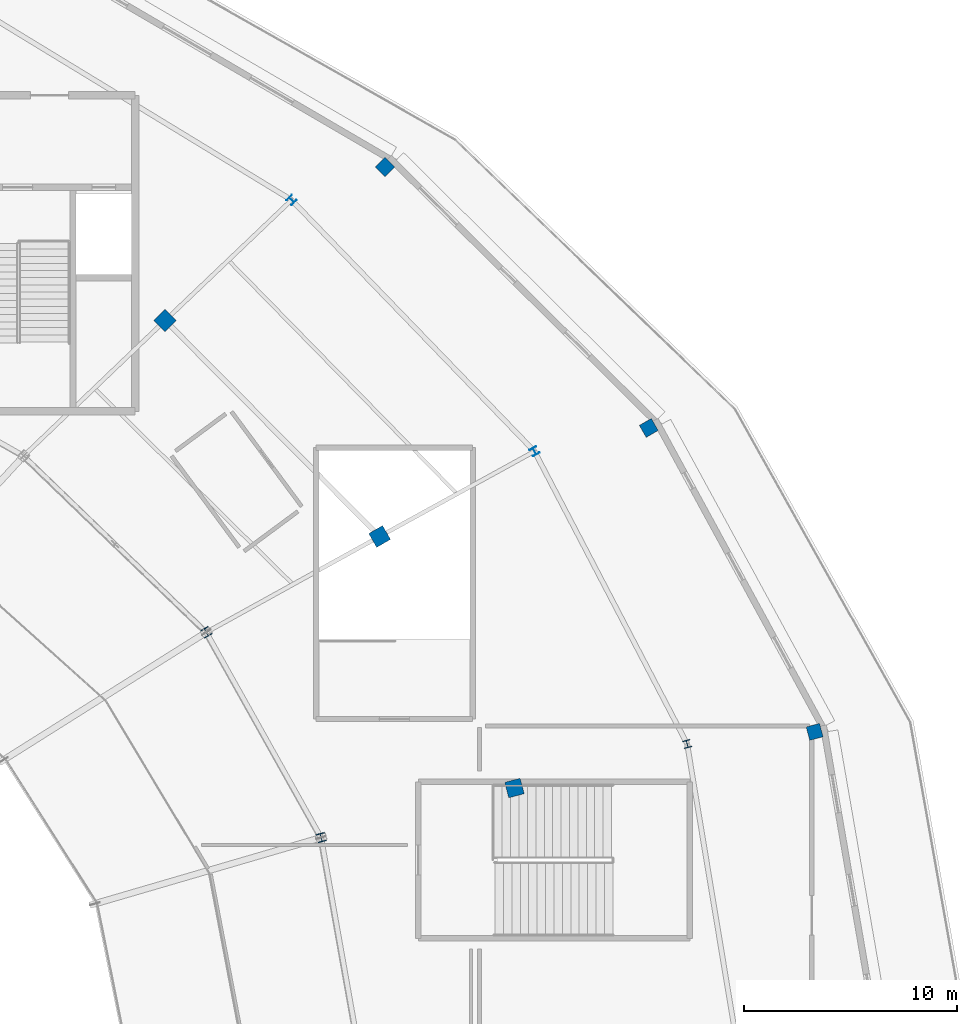
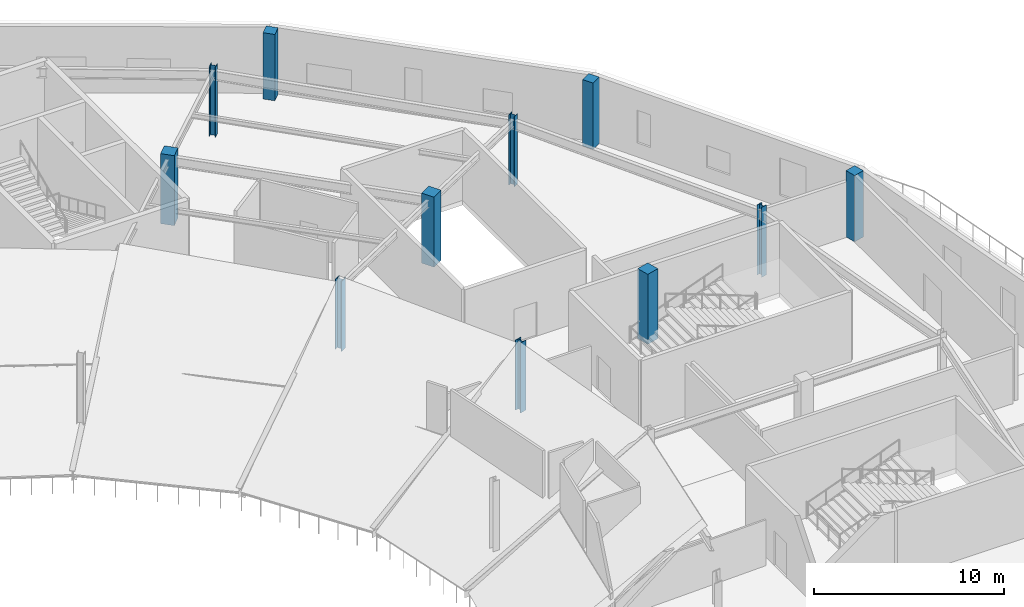
# One storey, part 12 of 63: 11 columns.
"""IFC4 building model written with IfcOpenShell, lengths in metres."""

from ifc_helpers import new_model, si_unit, direction, frame, origin, origin_2d, place, context, subcontext, project, spatial, rectangle, i_section, extrude, material, material_profile, profile_set, type_object, element, save


model = new_model("IFC4")

# Units and contexts
model_context = context("Model", 3, precision=1e-05, world=origin(), true_north=direction((0.0, 1.0)))
body_context = subcontext(model_context, "Body", "Model", "MODEL_VIEW")
ifc_project = project(units=[si_unit("LENGTHUNIT", "METRE"), si_unit("AREAUNIT", "SQUARE_METRE"), si_unit("VOLUMEUNIT", "CUBIC_METRE"), si_unit("PLANEANGLEUNIT", "RADIAN"), si_unit("MASSUNIT", "GRAM", prefix="KILO")], contexts=[model_context])

# Site, building, storey
site_placement = place(None, origin())
site = spatial("IfcSite", under=ifc_project, at=site_placement, CompositionType="ELEMENT")
building_placement = place(site_placement, origin())
building = spatial("IfcBuilding", under=site, at=building_placement, Name="Kalgoora Escarpment Arena", CompositionType="ELEMENT")
storey_placement = place(building_placement, frame((0.0, 0.0, 14.39990234375)))
storey = spatial("IfcBuildingStorey", under=building, at=storey_placement, Name="L03", CompositionType="ELEMENT", Elevation=14.39990234375)

# Columns
ifc_material_1 = material(Name="Structural steel Grade 350 (350 MPa)", Category="steel")
ifc_material_profile_1 = material_profile(ifc_material_1, i_section(OverallWidth=0.35009765625, OverallDepth=0.35009765625, WebThickness=0.013916015625, FlangeThickness=0.02392578125, at=origin_2d()))
ifc_profile_set_1 = profile_set([ifc_material_profile_1], Name="Structural steel Grade 350 (350 MPa)")
column_type_1 = type_object("IfcColumnType", Name="COL-COL-350WC197", PredefinedType="COLUMN", material=ifc_profile_set_1)
for number, where, z_axis, x_axis, name in (
    (1, (161.75341796875, 78.752685546875, 0.0), (0.0, 0.0, 1.0), (0.965925826289, 0.258819045103, 0.0), "L03 structural column COL-RCONC2-R02"),
    (2, (154.58056640625, 92.5, 0.0), (0.0, 0.0, 1.0), (0.866025403784, 0.5, 0.0), "L03 structural column COL-RCONC2-R03"),
    (3, (143.17041015625, 104.30517578125, 0.0), (0.0, 0.0, 1.0), (0.707106781187, 0.707106781187, 0.0), "L03 structural column COL-RCONC2-R04"),
):
    element("IfcColumn", number, at=place(storey_placement, frame(where, z_axis=z_axis, x_axis=x_axis)), inside=storey, type_object=column_type_1, Name=name, PredefinedType="COLUMN", context=body_context, shape_type="SweptSolid", body=[
        extrude(i_section(OverallWidth=0.35009765625, OverallDepth=0.35009765625, WebThickness=0.013916015625, FlangeThickness=0.02392578125, at=origin_2d()), origin(), (0.0, 0.0, 1.0), 4.5),
    ])
ifc_material_2 = material(Name="Structural steel Grade 350 (350 MPa)", Category="steel")
ifc_material_profile_2 = material_profile(ifc_material_2, i_section(OverallWidth=0.39990234375, OverallDepth=0.39990234375, WebThickness=0.01611328125, FlangeThickness=0.028076171875, at=origin_2d()))
ifc_profile_set_2 = profile_set([ifc_material_profile_2], Name="Structural steel Grade 350 (350 MPa)")
column_type_2 = type_object("IfcColumnType", Name="COL-COL-400WC212", PredefinedType="COLUMN", material=ifc_profile_set_2)
for number, where, z_axis, x_axis, name in (
    (4, (144.56005859375, 74.352783203125, 0.0), (0.0, 0.0, 1.0), (0.965925826289, 0.258819045103, 0.0), "L03 structural column COL-RMAIN-R02"),
    (5, (139.165283203125, 84.0, 0.0), (0.0, 0.0, 1.0), (0.866025403784, 0.5, 0.0), "L03 structural column COL-RMAIN-R03"),
):
    element("IfcColumn", number, at=place(storey_placement, frame(where, z_axis=z_axis, x_axis=x_axis)), inside=storey, type_object=column_type_2, Name=name, PredefinedType="COLUMN", context=body_context, shape_type="SweptSolid", body=[
        extrude(i_section(OverallWidth=0.39990234375, OverallDepth=0.39990234375, WebThickness=0.01611328125, FlangeThickness=0.028076171875, at=origin_2d()), origin(), (0.0, 0.0, 1.0), 4.5),
    ])
ifc_material_3 = material(Name="Concrete N50 (fc' 50 MPa)", Category="concrete")
ifc_material_profile_3 = material_profile(ifc_material_3, rectangle(XDim=0.64990234375, YDim=0.64990234375, at=origin_2d()))
ifc_profile_set_3 = profile_set([ifc_material_profile_3], Name="Concrete N50 (fc' 50 MPa)")
column_type_3 = type_object("IfcColumnType", Name="COL-COL-RC650x650", PredefinedType="COLUMN", material=ifc_profile_set_3)
for number, where, z_axis, x_axis, name in (
    (6, (167.7421875, 79.322021484375, 0.0), (0.0, 0.0, 1.0), (0.965925826289, 0.258819045103, 0.0), "L03 structural column COL-RBASE1-R02"),
    (7, (159.949951171875, 93.60009765625, 0.0), (0.0, 0.0, 1.0), (0.866025403784, 0.5, 0.0), "L03 structural column COL-RBASE1-R03"),
    (8, (147.55419921875, 105.860595703125, 0.0), (0.0, 0.0, 1.0), (0.707106781187, 0.707106781187, 0.0), "L03 structural column COL-RBASE1-R04"),
):
    element("IfcColumn", number, at=place(storey_placement, frame(where, z_axis=z_axis, x_axis=x_axis)), inside=storey, type_object=column_type_3, Name=name, PredefinedType="COLUMN", context=body_context, shape_type="SweptSolid", body=[
        extrude(rectangle(XDim=0.64990234375, YDim=0.64990234375, at=origin_2d()), origin(), (0.0, 0.0, 1.0), 4.260009765625),
    ])
ifc_material_4 = material(Name="Concrete N50 (fc' 50 MPa)", Category="concrete")
ifc_material_profile_4 = material_profile(ifc_material_4, rectangle(XDim=0.75, YDim=0.75, at=origin_2d()))
ifc_profile_set_4 = profile_set([ifc_material_profile_4], Name="Concrete N50 (fc' 50 MPa)")
column_type_4 = type_object("IfcColumnType", Name="COL-COL-RC750x750", PredefinedType="COLUMN", material=ifc_profile_set_4)
for number, where, z_axis, x_axis, name in (
    (9, (153.6396484375, 76.68212890625, 0.0), (0.0, 0.0, 1.0), (0.965925826289, 0.258819045103, 0.0), "L03 structural column COL-RCONC1-R02"),
    (10, (147.305908203125, 88.5, 0.0), (0.0, 0.0, 1.0), (0.866025403784, 0.5, 0.0), "L03 structural column COL-RCONC1-R03"),
    (11, (137.230712890625, 98.648193359375, 0.0), (0.0, 0.0, 1.0), (0.707106781187, 0.707106781187, 0.0), "L03 structural column COL-RCONC1-R04"),
):
    element("IfcColumn", number, at=place(storey_placement, frame(where, z_axis=z_axis, x_axis=x_axis)), inside=storey, type_object=column_type_4, Name=name, PredefinedType="COLUMN", context=body_context, shape_type="SweptSolid", body=[
        extrude(rectangle(XDim=0.75, YDim=0.75, at=origin_2d()), origin(), (0.0, 0.0, 1.0), 4.5),
    ])

save(model, "model.ifc")
